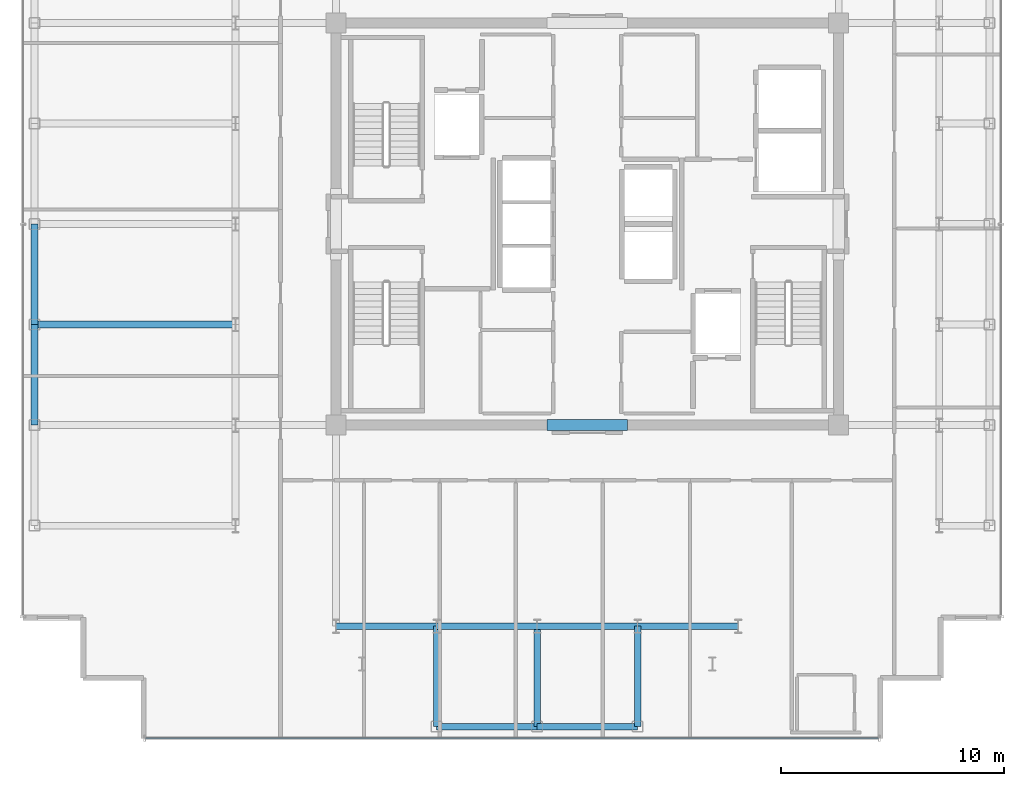
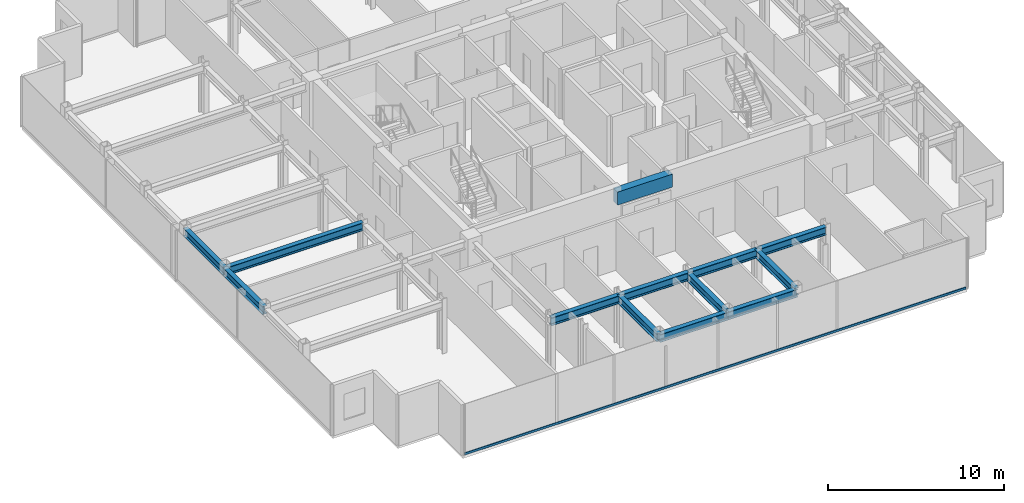
# One storey, part 3 of 18: 13 beams, 1 member, 1 element without a shape of its own.
"""IFC4 building model written with IfcOpenShell, lengths in metres."""

from ifc_helpers import new_model, si_unit, direction, frame, origin, origin_2d, place, context, subcontext, project, spatial, rectangle, hollow_rectangle, i_section, extrude, source, transform, mapped, material, layer, layer_set, material_profile, profile_set, type_object, element, aggregate, save


model = new_model("IFC4")

# Units and contexts
model_context = context("Model", 3, precision=1e-05, world=origin(), true_north=direction((0.0, 1.0)))
body_context = subcontext(model_context, "Body", "Model", "MODEL_VIEW")
ifc_project = project(units=[si_unit("LENGTHUNIT", "METRE"), si_unit("AREAUNIT", "SQUARE_METRE"), si_unit("VOLUMEUNIT", "CUBIC_METRE"), si_unit("PLANEANGLEUNIT", "RADIAN"), si_unit("MASSUNIT", "GRAM", prefix="KILO")], contexts=[model_context])

# Site, building, storey
site_placement = place(None, origin())
site = spatial("IfcSite", under=ifc_project, at=site_placement, CompositionType="ELEMENT")
building_placement = place(site_placement, origin())
building = spatial("IfcBuilding", under=site, at=building_placement, Name="Nefas-Gora Pilgrimage Tower", CompositionType="ELEMENT")
storey_placement = place(building_placement, frame((0.0, 0.0, 314.0)))
storey = spatial("IfcBuildingStorey", under=building, at=storey_placement, Name="L79", CompositionType="ELEMENT", Elevation=314.0)

# Beams
ifc_material_1 = material(Name="Concrete C50/60", Category="concrete")
ifc_material_profile_1 = material_profile(ifc_material_1, rectangle(XDim=0.5, YDim=0.89990234375, at=origin_2d()), Name="RC 500x900")
ifc_profile_set_1 = profile_set([ifc_material_profile_1], Name="Concrete C50/60")
beam_type_1 = type_object("IfcBeamType", Name="BM-LIN-RC900", PredefinedType="LINTEL", material=ifc_profile_set_1)
shared_shape_1 = source(origin(), body_context, "Body", "SweptSolid", [
    extrude(rectangle(XDim=0.5, YDim=0.89990234375, at=origin_2d()), origin(), (0.0, 0.0, 1.0), 3.60009765625),
])
beam_1_placement = place(storey_placement, frame((-1.800048828125, -9.0, 3.050048828125), z_axis=(1.0, 0.0, 0.0), x_axis=(0.0, 1.0, 0.0)))
element("IfcBeam", 1, at=beam_1_placement, inside=storey, type_object=beam_type_1, Name="L79 Core Coupling Lintel Beam S", PredefinedType="LINTEL", context=body_context, shape_type="MappedRepresentation", body=[
    mapped(shared_shape_1, transform((0.0, 0.0, 0.0), x_axis=(1.0, 0.0, 0.0), y_axis=(0.0, 1.0, 0.0), z_axis=(0.0, 0.0, 1.0), scale=1.0)),
])
ifc_material_2 = material(Name="Steel S355", Category="steel")
ifc_material_profile_2 = material_profile(ifc_material_2, i_section(OverallWidth=0.300048828125, OverallDepth=0.550048828125, WebThickness=0.014892578125, FlangeThickness=0.029052734375, FilletRadius=0.027099609375, at=origin_2d()), Name="HEB 550")
ifc_profile_set_2 = profile_set([ifc_material_profile_2], Name="Steel S355")
beam_type_2 = type_object("IfcBeamType", Name="BM-SPN-HEB400", PredefinedType="SPANDREL", material=ifc_profile_set_2)
shared_shape_2 = source(origin(), body_context, "Body", "SweptSolid", [
    extrude(i_section(OverallWidth=0.300048828125, OverallDepth=0.550048828125, WebThickness=0.014892578125, FlangeThickness=0.029052734375, FilletRadius=0.027099609375, at=origin_2d()), origin(), (0.0, 0.0, 1.0), 4.5),
])
for number, where, z_axis, x_axis, name in (
    (2, (-24.75, -9.0, 3.22509765625), (0.0, 1.0, 0.0), (-1.0, 0.0, 0.0), "L79 SP-04 beam"),
    (3, (-24.75, -4.5, 3.22509765625), (0.0, 1.0, 0.0), (-1.0, 0.0, 0.0), "L79 SP-04 beam"),
    (4, (-6.75, -22.5, 3.22509765625), (1.0, 0.0, 0.0), (0.0, 1.0, 0.0), "L79 SP-04 beam"),
    (5, (-2.25, -22.5, 3.22509765625), (1.0, 0.0, 0.0), (0.0, 1.0, 0.0), "L79 SP-04 beam"),
):
    element("IfcBeam", number, at=place(storey_placement, frame(where, z_axis=z_axis, x_axis=x_axis)), inside=storey, type_object=beam_type_2, Name=name, PredefinedType="SPANDREL", context=body_context, shape_type="MappedRepresentation", body=[
        mapped(shared_shape_2, transform((0.0, 0.0, 0.0), x_axis=(1.0, 0.0, 0.0), y_axis=(0.0, 1.0, 0.0), z_axis=(0.0, 0.0, 1.0), scale=1.0)),
    ])
ifc_material_profile_3 = material_profile(ifc_material_2, i_section(OverallWidth=0.300048828125, OverallDepth=0.550048828125, WebThickness=0.014892578125, FlangeThickness=0.029052734375, FilletRadius=0.027099609375, at=origin_2d()), Name="HEB 550")
ifc_profile_set_3 = profile_set([ifc_material_profile_3], Name="Steel S355")
beam_type_3 = type_object("IfcBeamType", Name="BM-GIR-HEB550", PredefinedType="BEAM", material=ifc_profile_set_3)
shared_shape_3 = source(origin(), body_context, "Body", "SweptSolid", [
    extrude(i_section(OverallWidth=0.300048828125, OverallDepth=0.550048828125, WebThickness=0.014892578125, FlangeThickness=0.029052734375, FilletRadius=0.027099609375, at=origin_2d()), origin(), (0.0, 0.0, 1.0), 9.0),
])
beam_2_placement = place(storey_placement, frame((-24.75, -4.5, 3.22509765625), z_axis=(1.0, 0.0, 0.0), x_axis=(0.0, 1.0, 0.0)))
element("IfcBeam", 6, at=beam_2_placement, inside=storey, type_object=beam_type_3, Name="L79 G-05 beam", PredefinedType="BEAM", context=body_context, shape_type="MappedRepresentation", body=[
    mapped(shared_shape_3, transform((0.0, 0.0, 0.0), x_axis=(1.0, 0.0, 0.0), y_axis=(0.0, 1.0, 0.0), z_axis=(0.0, 0.0, 1.0), scale=1.0)),
])
shared_shape_4 = source(origin(), body_context, "Body", "SweptSolid", [
    extrude(i_section(OverallWidth=0.300048828125, OverallDepth=0.550048828125, WebThickness=0.014892578125, FlangeThickness=0.029052734375, FilletRadius=0.027099609375, at=origin_2d()), origin(), (0.0, 0.0, 1.0), 4.5),
])
for number, where, z_axis, x_axis, name in (
    (7, (-11.25, -18.0, 3.22509765625), (1.0, 0.0, 0.0), (0.0, 1.0, 0.0), "L79 G-05 beam"),
    (8, (-6.75, -22.5, 3.22509765625), (0.0, 1.0, 0.0), (-1.0, 0.0, 0.0), "L79 G-05 beam"),
    (9, (-6.75, -18.0, 3.22509765625), (1.0, 0.0, 0.0), (0.0, 1.0, 0.0), "L79 G-05 beam"),
    (10, (-2.25, -22.5, 3.22509765625), (0.0, 1.0, 0.0), (-1.0, 0.0, 0.0), "L79 G-05 beam"),
    (11, (-2.25, -18.0, 3.22509765625), (1.0, 0.0, 0.0), (0.0, 1.0, 0.0), "L79 G-05 beam"),
    (12, (2.25, -22.5, 3.22509765625), (0.0, 1.0, 0.0), (-1.0, 0.0, 0.0), "L79 G-05 beam"),
    (13, (2.25, -18.0, 3.22509765625), (1.0, 0.0, 0.0), (0.0, 1.0, 0.0), "L79 G-05 beam"),
):
    element("IfcBeam", number, at=place(storey_placement, frame(where, z_axis=z_axis, x_axis=x_axis)), inside=storey, type_object=beam_type_3, Name=name, PredefinedType="BEAM", context=body_context, shape_type="MappedRepresentation", body=[
        mapped(shared_shape_4, transform((0.0, 0.0, 0.0), x_axis=(1.0, 0.0, 0.0), y_axis=(0.0, 1.0, 0.0), z_axis=(0.0, 0.0, 1.0), scale=1.0)),
    ])

# Curtain wall, member
ifc_material_3 = material(Name="Dark ceramic-fritted solar-control aluminium-glass curtain wall", Category="aluminium")
ifc_layer = layer(ifc_material_3, 0.219970703125)
ifc_layer_set = layer_set([ifc_layer], Name="Dark ceramic-fritted solar-control aluminium-glass curtain wall")
curtain_wall_type = type_object("IfcCurtainWallType", Name="CW-SYS-4", PredefinedType="NOTDEFINED", material=ifc_layer_set)
curtain_wall_placement = place(storey_placement, origin())
curtain_wall = element("IfcCurtainWall", 14, at=curtain_wall_placement, inside=storey, type_object=curtain_wall_type, Name="L79 Unitised Curtain Wall CW4", PredefinedType="NOTDEFINED")
ifc_material_4 = material(Name="Anodised architectural aluminium", Category="aluminium")
ifc_material_profile_4 = material_profile(ifc_material_4, hollow_rectangle(XDim=0.080078125, YDim=0.159912109375, WallThickness=0.00439453125, InnerFilletRadius=0.00439453125, OuterFilletRadius=0.009033203125, at=origin_2d()), Name="ALU TRANSOM 80x160")
ifc_profile_set_4 = profile_set([ifc_material_profile_4], Name="Anodised architectural aluminium")
member_type = type_object("IfcMemberType", Name="CWM-TRN-4", PredefinedType="USERDEFINED", material=ifc_profile_set_4)
shared_shape_5 = source(origin(), body_context, "Body", "SweptSolid", [
    extrude(hollow_rectangle(XDim=0.080078125, YDim=0.159912109375, WallThickness=0.00439453125, InnerFilletRadius=0.00439453125, OuterFilletRadius=0.009033203125, at=origin_2d()), origin(), (0.0, 0.0, 1.0), 32.81005859375),
])
member_placement = place(storey_placement, frame((-19.780029296875, -23.02001953125, 0.050048828125), z_axis=(1.0, 0.0, 0.0), x_axis=(0.0, 1.0, 0.0)))
member = element("IfcMember", 15, at=member_placement, type_object=member_type, Name="CW4 Spandrel Transom", ObjectType="TRANSOM", PredefinedType="USERDEFINED", context=body_context, shape_type="MappedRepresentation", body=[
    mapped(shared_shape_5, transform((0.0, 0.0, 0.0), x_axis=(1.0, 0.0, 0.0), y_axis=(0.0, 1.0, 0.0), z_axis=(0.0, 0.0, 1.0), scale=1.0)),
])
aggregate(curtain_wall, [member])

save(model, "model.ifc")
